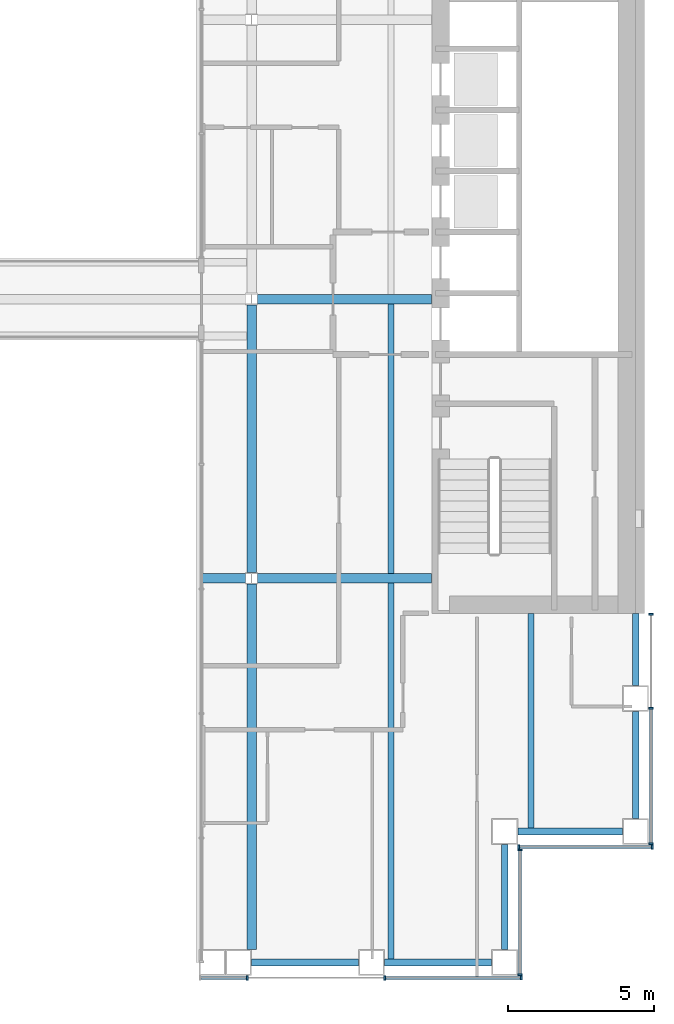
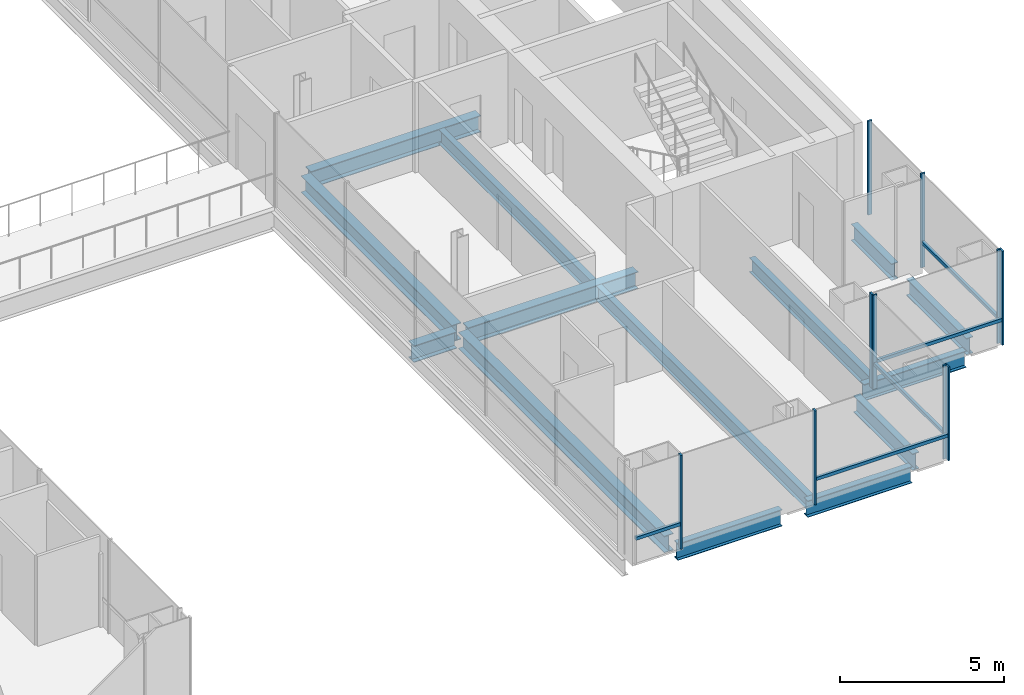
# One storey, part 5 of 16: 15 members, 14 beams, 4 elements without a shape of their own.
"""IFC4 building model written with IfcOpenShell, lengths in metres."""

from ifc_helpers import new_model, si_unit, direction, frame, origin, origin_2d, place, context, subcontext, project, spatial, rectangle, i_section, extrude, material, material_profile, profile_set, type_object, element, aggregate, save


model = new_model("IFC4")

# Units and contexts
model_context = context("Model", 3, precision=1e-05, world=origin(), true_north=direction((0.0, 1.0)))
body_context = subcontext(model_context, "Body", "Model", "MODEL_VIEW")
ifc_project = project(units=[si_unit("LENGTHUNIT", "METRE"), si_unit("AREAUNIT", "SQUARE_METRE"), si_unit("VOLUMEUNIT", "CUBIC_METRE"), si_unit("PLANEANGLEUNIT", "RADIAN"), si_unit("MASSUNIT", "GRAM", prefix="KILO")], contexts=[model_context])

# Site, building, storey
site_placement = place(None, origin())
site = spatial("IfcSite", under=ifc_project, at=site_placement, CompositionType="ELEMENT")
building_placement = place(site_placement, origin())
building = spatial("IfcBuilding", under=site, at=building_placement, Name="Cobrizo Arcos Hotel Tower", CompositionType="ELEMENT")
storey_placement = place(building_placement, frame((0.0, 0.0, 127.5)))
storey = spatial("IfcBuildingStorey", under=building, at=storey_placement, Name="L32", CompositionType="ELEMENT", Elevation=127.5)

# Curtain wall, members
ifc_material_1 = material(Name="Aluminium 6063-T6 anodised bronze", Category="aluminium")
curtain_wall_type = type_object("IfcCurtainWallType", Name="CW-A guest facade", PredefinedType="NOTDEFINED", material=ifc_material_1)
curtain_wall_1_placement = place(storey_placement, origin())
curtain_wall_1 = element("IfcCurtainWall", 1, at=curtain_wall_1_placement, inside=storey, type_object=curtain_wall_type, Name="CW-A L32 S face", PredefinedType="NOTDEFINED")
ifc_material_profile_1 = material_profile(ifc_material_1, rectangle(XDim=0.14990234375, YDim=0.06005859375, at=origin_2d()), Name="CW-A mullion 150x60")
ifc_profile_set_1 = profile_set([ifc_material_profile_1], Name="Aluminium 6063-T6 anodised bronze")
member_type_1 = type_object("IfcMemberType", Name="CW-A mullion 150x60", PredefinedType="MULLION", material=ifc_profile_set_1)
member_1_placement = place(storey_placement, frame((9.449951171875, -23.324951171875, 0.0), z_axis=(0.0, 0.0, 1.0), x_axis=(0.0, -1.0, 0.0)))
member_1 = element("IfcMember", 2, at=member_1_placement, type_object=member_type_1, Name="CW-A mullion 2", PredefinedType="MULLION", context=body_context, shape_type="SweptSolid", body=[
    extrude(rectangle(XDim=0.14990234375, YDim=0.06005859375, at=origin_2d()), origin(), (0.0, 0.0, 1.0), 3.5),
])
member_2_placement = place(storey_placement, frame((14.175048828125, -23.324951171875, 0.0), z_axis=(0.0, 0.0, 1.0), x_axis=(0.0, -1.0, 0.0)))
member_2 = element("IfcMember", 3, at=member_2_placement, type_object=member_type_1, Name="CW-A mullion 3", PredefinedType="MULLION", context=body_context, shape_type="SweptSolid", body=[
    extrude(rectangle(XDim=0.14990234375, YDim=0.06005859375, at=origin_2d()), origin(), (0.0, 0.0, 1.0), 3.5),
])
member_3_placement = place(storey_placement, frame((18.8701171875, -23.324951171875, 0.0), z_axis=(0.0, 0.0, 1.0), x_axis=(0.0, -1.0, 0.0)))
member_3 = element("IfcMember", 4, at=member_3_placement, type_object=member_type_1, Name="CW-A mullion 4", PredefinedType="MULLION", context=body_context, shape_type="SweptSolid", body=[
    extrude(rectangle(XDim=0.14990234375, YDim=0.06005859375, at=origin_2d()), origin(), (0.0, 0.0, 1.0), 3.5),
])

curtain_wall_2_placement = place(storey_placement, origin())
curtain_wall_2 = element("IfcCurtainWall", 5, at=curtain_wall_2_placement, inside=storey, type_object=curtain_wall_type, Name="CW-A L32 E face", PredefinedType="NOTDEFINED")
member_4_placement = place(storey_placement, frame((18.824951171875, -23.219970703125, 0.0), z_axis=(0.0, 0.0, 1.0), x_axis=(1.0, 0.0, 0.0)))
member_4 = element("IfcMember", 6, at=member_4_placement, type_object=member_type_1, Name="CW-A mullion 1", PredefinedType="MULLION", context=body_context, shape_type="SweptSolid", body=[
    extrude(rectangle(XDim=0.14990234375, YDim=0.06005859375, at=origin_2d()), origin(), (0.0, 0.0, 1.0), 3.5),
])
member_5_placement = place(storey_placement, frame((18.824951171875, -18.929931640625, 0.0), z_axis=(0.0, 0.0, 1.0), x_axis=(1.0, 0.0, 0.0)))
member_5 = element("IfcMember", 7, at=member_5_placement, type_object=member_type_1, Name="CW-A mullion 2", PredefinedType="MULLION", context=body_context, shape_type="SweptSolid", body=[
    extrude(rectangle(XDim=0.14990234375, YDim=0.06005859375, at=origin_2d()), origin(), (0.0, 0.0, 1.0), 3.5),
])

curtain_wall_3_placement = place(storey_placement, origin())
curtain_wall_3 = element("IfcCurtainWall", 8, at=curtain_wall_3_placement, inside=storey, type_object=curtain_wall_type, Name="CW-A L32 S face", PredefinedType="NOTDEFINED")
member_6_placement = place(storey_placement, frame((18.780029296875, -18.824951171875, 0.0), z_axis=(0.0, 0.0, 1.0), x_axis=(0.0, -1.0, 0.0)))
member_6 = element("IfcMember", 9, at=member_6_placement, type_object=member_type_1, Name="CW-A mullion 1", PredefinedType="MULLION", context=body_context, shape_type="SweptSolid", body=[
    extrude(rectangle(XDim=0.14990234375, YDim=0.06005859375, at=origin_2d()), origin(), (0.0, 0.0, 1.0), 3.5),
])
member_7_placement = place(storey_placement, frame((23.3701171875, -18.824951171875, 0.0), z_axis=(0.0, 0.0, 1.0), x_axis=(0.0, -1.0, 0.0)))
member_7 = element("IfcMember", 10, at=member_7_placement, type_object=member_type_1, Name="CW-A mullion 2", PredefinedType="MULLION", context=body_context, shape_type="SweptSolid", body=[
    extrude(rectangle(XDim=0.14990234375, YDim=0.06005859375, at=origin_2d()), origin(), (0.0, 0.0, 1.0), 3.5),
])

curtain_wall_4_placement = place(storey_placement, origin())
curtain_wall_4 = element("IfcCurtainWall", 11, at=curtain_wall_4_placement, inside=storey, type_object=curtain_wall_type, Name="CW-A L32 E face", PredefinedType="NOTDEFINED")
member_8_placement = place(storey_placement, frame((23.324951171875, -18.719970703125, 0.0), z_axis=(0.0, 0.0, 1.0), x_axis=(1.0, 0.0, 0.0)))
member_8 = element("IfcMember", 12, at=member_8_placement, type_object=member_type_1, Name="CW-A mullion 1", PredefinedType="MULLION", context=body_context, shape_type="SweptSolid", body=[
    extrude(rectangle(XDim=0.14990234375, YDim=0.06005859375, at=origin_2d()), origin(), (0.0, 0.0, 1.0), 3.5),
])
member_9_placement = place(storey_placement, frame((23.324951171875, -14.0625, 0.0), z_axis=(0.0, 0.0, 1.0), x_axis=(1.0, 0.0, 0.0)))
member_9 = element("IfcMember", 13, at=member_9_placement, type_object=member_type_1, Name="CW-A mullion 2", PredefinedType="MULLION", context=body_context, shape_type="SweptSolid", body=[
    extrude(rectangle(XDim=0.14990234375, YDim=0.06005859375, at=origin_2d()), origin(), (0.0, 0.0, 1.0), 3.5),
])
member_10_placement = place(storey_placement, frame((23.324951171875, -10.830078125, 0.0), z_axis=(0.0, 0.0, 1.0), x_axis=(1.0, 0.0, 0.0)))
member_10 = element("IfcMember", 14, at=member_10_placement, type_object=member_type_1, Name="CW-A mullion 3", PredefinedType="MULLION", context=body_context, shape_type="SweptSolid", body=[
    extrude(rectangle(XDim=0.14990234375, YDim=0.06005859375, at=origin_2d()), origin(), (0.0, 0.0, 1.0), 3.5),
])

# Member
ifc_material_profile_2 = material_profile(ifc_material_1, rectangle(XDim=0.10009765625, YDim=0.1201171875, at=origin_2d()), Name="CW-A transom 120x100")
ifc_profile_set_2 = profile_set([ifc_material_profile_2], Name="Aluminium 6063-T6 anodised bronze")
member_type_2 = type_object("IfcMemberType", Name="CW-A transom 120x100", PredefinedType="USERDEFINED", material=ifc_profile_set_2)
member_11_placement = place(storey_placement, frame((7.860107421875, -23.324951171875, 0.929931640625), z_axis=(1.0, 0.0, 0.0), x_axis=(0.0, 1.0, 0.0)))
member_11 = element("IfcMember", 15, at=member_11_placement, type_object=member_type_2, Name="CW-A transom 1194", ObjectType="TRANSOM", PredefinedType="USERDEFINED", context=body_context, shape_type="SweptSolid", body=[
    extrude(rectangle(XDim=0.10009765625, YDim=0.1201171875, at=origin_2d()), origin(), (0.0, 0.0, 1.0), 1.559814453125),
])

member_12_placement = place(storey_placement, frame((14.205078125, -23.324951171875, 0.929931640625), z_axis=(1.0, 0.0, 0.0), x_axis=(0.0, 1.0, 0.0)))
member_12 = element("IfcMember", 16, at=member_12_placement, type_object=member_type_2, Name="CW-A transom 1196", ObjectType="TRANSOM", PredefinedType="USERDEFINED", context=body_context, shape_type="SweptSolid", body=[
    extrude(rectangle(XDim=0.10009765625, YDim=0.1201171875, at=origin_2d()), origin(), (0.0, 0.0, 1.0), 4.635009765625),
])

aggregate(curtain_wall_1, [member_1, member_2, member_3, member_11, member_12])

member_13_placement = place(storey_placement, frame((18.824951171875, -23.18994140625, 0.929931640625), z_axis=(0.0, 1.0, 0.0), x_axis=(-1.0, 0.0, 0.0)))
member_13 = element("IfcMember", 17, at=member_13_placement, type_object=member_type_2, Name="CW-A transom 1197", ObjectType="TRANSOM", PredefinedType="USERDEFINED", context=body_context, shape_type="SweptSolid", body=[
    extrude(rectangle(XDim=0.10009765625, YDim=0.1201171875, at=origin_2d()), origin(), (0.0, 0.0, 1.0), 4.22998046875),
])

aggregate(curtain_wall_2, [member_4, member_5, member_13])

member_14_placement = place(storey_placement, frame((18.81005859375, -18.824951171875, 0.929931640625), z_axis=(1.0, 0.0, 0.0), x_axis=(0.0, 1.0, 0.0)))
member_14 = element("IfcMember", 18, at=member_14_placement, type_object=member_type_2, Name="CW-A transom 1198", ObjectType="TRANSOM", PredefinedType="USERDEFINED", context=body_context, shape_type="SweptSolid", body=[
    extrude(rectangle(XDim=0.10009765625, YDim=0.1201171875, at=origin_2d()), origin(), (0.0, 0.0, 1.0), 4.530029296875),
])

aggregate(curtain_wall_3, [member_6, member_7, member_14])

member_15_placement = place(storey_placement, frame((23.324951171875, -18.68994140625, 0.929931640625), z_axis=(0.0, 1.0, 0.0), x_axis=(-1.0, 0.0, 0.0)))
member_15 = element("IfcMember", 19, at=member_15_placement, type_object=member_type_2, Name="CW-A transom 1199", ObjectType="TRANSOM", PredefinedType="USERDEFINED", context=body_context, shape_type="SweptSolid", body=[
    extrude(rectangle(XDim=0.10009765625, YDim=0.1201171875, at=origin_2d()), origin(), (0.0, 0.0, 1.0), 4.597412109375),
])

aggregate(curtain_wall_4, [member_8, member_9, member_10, member_15])

# Beams
ifc_material_2 = material(Name="Steel ASTM A992 Grade 50", Category="steel")
ifc_material_profile_3 = material_profile(ifc_material_2, i_section(OverallWidth=0.209228515625, OverallDepth=0.533447265625, WebThickness=0.01025390625, FlangeThickness=0.015625, at=origin_2d()), Name="W21X62")
ifc_profile_set_3 = profile_set([ifc_material_profile_3], Name="Steel ASTM A992 Grade 50")
beam_type_1 = type_object("IfcBeamType", Name="W21X62 joist", PredefinedType="JOIST", material=ifc_profile_set_3)
beam_1_placement = place(storey_placement, frame((14.39990234375, -22.7099609375, -0.416748046875), z_axis=(0.0, 1.0, 0.0), x_axis=(-1.0, 0.0, 0.0)))
element("IfcBeam", 20, at=beam_1_placement, inside=storey, type_object=beam_type_1, Name="Floor joist J1, L32, no. 007", PredefinedType="JOIST", context=body_context, shape_type="SweptSolid", body=[
    extrude(i_section(OverallWidth=0.209228515625, OverallDepth=0.533447265625, WebThickness=0.01025390625, FlangeThickness=0.015625, at=origin_2d()), origin(), (0.0, 0.0, 1.0), 12.946044921875),
])
beam_2_placement = place(storey_placement, frame((14.39990234375, -9.43603515625, -0.416748046875), z_axis=(0.0, 1.0, 0.0), x_axis=(-1.0, 0.0, 0.0)))
element("IfcBeam", 21, at=beam_2_placement, inside=storey, type_object=beam_type_1, Name="Floor joist J1, L32, no. 008", PredefinedType="JOIST", context=body_context, shape_type="SweptSolid", body=[
    extrude(i_section(OverallWidth=0.209228515625, OverallDepth=0.533447265625, WebThickness=0.01025390625, FlangeThickness=0.015625, at=origin_2d()), origin(), (0.0, 0.0, 1.0), 9.272216796875),
])
beam_3_placement = place(storey_placement, frame((19.199951171875, -18.2099609375, -0.416748046875), z_axis=(0.0, 1.0, 0.0), x_axis=(-1.0, 0.0, 0.0)))
element("IfcBeam", 22, at=beam_3_placement, inside=storey, type_object=beam_type_1, Name="Floor joist J1, L32, no. 011", PredefinedType="JOIST", context=body_context, shape_type="SweptSolid", body=[
    extrude(i_section(OverallWidth=0.209228515625, OverallDepth=0.533447265625, WebThickness=0.01025390625, FlangeThickness=0.015625, at=origin_2d()), origin(), (0.0, 0.0, 1.0), 7.39990234375),
])
ifc_material_profile_4 = material_profile(ifc_material_2, i_section(OverallWidth=0.32763671875, OverallDepth=0.622314453125, WebThickness=0.015380859375, FlangeThickness=0.0244140625, at=origin_2d()), Name="W24X131")
ifc_profile_set_4 = profile_set([ifc_material_profile_4], Name="Steel ASTM A992 Grade 50")
beam_type_2 = type_object("IfcBeamType", Name="W24X131 girder", PredefinedType="BEAM", material=ifc_profile_set_4)
beam_4_placement = place(storey_placement, frame((7.889892578125, -9.60009765625, -0.461181640625), z_axis=(1.0, 0.0, 0.0), x_axis=(0.0, 1.0, 0.0)))
element("IfcBeam", 23, at=beam_4_placement, inside=storey, type_object=beam_type_2, Name="Floor girder G1, L32, no. 003", PredefinedType="BEAM", context=body_context, shape_type="SweptSolid", body=[
    extrude(i_section(OverallWidth=0.32763671875, OverallDepth=0.622314453125, WebThickness=0.015380859375, FlangeThickness=0.0244140625, at=origin_2d()), origin(), (0.0, 0.0, 1.0), 1.5107421875),
])
for number, where, z_axis, x_axis, name in (
    (24, (9.79931640625, -9.60009765625, -0.461181640625), (1.0, 0.0, 0.0), (0.0, 1.0, 0.0), "Floor girder G1, L32, no. 004"),
    (25, (9.79931640625, 0.0, -0.461181640625), (1.0, 0.0, 0.0), (0.0, 1.0, 0.0), "Floor girder G1, L32, no. 007"),
):
    element("IfcBeam", number, at=place(storey_placement, frame(where, z_axis=z_axis, x_axis=x_axis)), inside=storey, type_object=beam_type_2, Name=name, PredefinedType="BEAM", context=body_context, shape_type="SweptSolid", body=[
        extrude(i_section(OverallWidth=0.32763671875, OverallDepth=0.622314453125, WebThickness=0.015380859375, FlangeThickness=0.0244140625, at=origin_2d()), origin(), (0.0, 0.0, 1.0), 5.99072265625),
    ])
beam_5_placement = place(storey_placement, frame((9.60009765625, -22.35009765625, -0.461181640625), z_axis=(0.0, 1.0, 0.0), x_axis=(-1.0, 0.0, 0.0)))
element("IfcBeam", 26, at=beam_5_placement, inside=storey, type_object=beam_type_2, Name="Floor girder G1, L32, no. 016", PredefinedType="BEAM", context=body_context, shape_type="SweptSolid", body=[
    extrude(i_section(OverallWidth=0.32763671875, OverallDepth=0.622314453125, WebThickness=0.015380859375, FlangeThickness=0.0244140625, at=origin_2d()), origin(), (0.0, 0.0, 1.0), 12.55078125),
])
beam_6_placement = place(storey_placement, frame((9.60009765625, -9.400634765625, -0.461181640625), z_axis=(0.0, 1.0, 0.0), x_axis=(-1.0, 0.0, 0.0)))
element("IfcBeam", 27, at=beam_6_placement, inside=storey, type_object=beam_type_2, Name="Floor girder G1, L32, no. 017", PredefinedType="BEAM", context=body_context, shape_type="SweptSolid", body=[
    extrude(i_section(OverallWidth=0.32763671875, OverallDepth=0.622314453125, WebThickness=0.015380859375, FlangeThickness=0.0244140625, at=origin_2d()), origin(), (0.0, 0.0, 1.0), 9.201171875),
])
ifc_material_profile_5 = material_profile(ifc_material_2, i_section(OverallWidth=0.23046875, OverallDepth=0.6171875, WebThickness=0.01318359375, FlangeThickness=0.022216796875, at=origin_2d()), Name="W24X94")
ifc_profile_set_5 = profile_set([ifc_material_profile_5], Name="Steel ASTM A992 Grade 50")
beam_type_3 = type_object("IfcBeamType", Name="W24X94 spandrel", PredefinedType="SPANDREL", material=ifc_profile_set_5)
beam_7_placement = place(storey_placement, frame((22.800048828125, -10.81005859375, -0.45849609375), z_axis=(0.0, -1.0, 0.0), x_axis=(1.0, 0.0, 0.0)))
element("IfcBeam", 28, at=beam_7_placement, inside=storey, type_object=beam_type_3, Name="Spandrel beam W24X94, L32, no. 004", PredefinedType="SPANDREL", context=body_context, shape_type="SweptSolid", body=[
    extrude(i_section(OverallWidth=0.23046875, OverallDepth=0.6171875, WebThickness=0.01318359375, FlangeThickness=0.022216796875, at=origin_2d()), origin(), (0.0, 0.0, 1.0), 2.46484375),
])
beam_8_placement = place(storey_placement, frame((22.800048828125, -14.175048828125, -0.45849609375), z_axis=(0.0, -1.0, 0.0), x_axis=(1.0, 0.0, 0.0)))
element("IfcBeam", 29, at=beam_8_placement, inside=storey, type_object=beam_type_3, Name="Spandrel beam W24X94, L32, no. 005", PredefinedType="SPANDREL", context=body_context, shape_type="SweptSolid", body=[
    extrude(i_section(OverallWidth=0.23046875, OverallDepth=0.6171875, WebThickness=0.01318359375, FlangeThickness=0.022216796875, at=origin_2d()), origin(), (0.0, 0.0, 1.0), 3.675048828125),
])
for number, where, z_axis, x_axis, name in (
    (30, (22.35009765625, -18.300048828125, -0.45849609375), (-1.0, 0.0, 0.0), (0.0, -1.0, 0.0), "Spandrel beam W24X94, L32, no. 006"),
    (31, (18.300048828125, -18.75, -0.45849609375), (0.0, -1.0, 0.0), (1.0, 0.0, 0.0), "Spandrel beam W24X94, L32, no. 007"),
):
    element("IfcBeam", number, at=place(storey_placement, frame(where, z_axis=z_axis, x_axis=x_axis)), inside=storey, type_object=beam_type_3, Name=name, PredefinedType="SPANDREL", context=body_context, shape_type="SweptSolid", body=[
        extrude(i_section(OverallWidth=0.23046875, OverallDepth=0.6171875, WebThickness=0.01318359375, FlangeThickness=0.022216796875, at=origin_2d()), origin(), (0.0, 0.0, 1.0), 3.60009765625),
    ])
beam_9_placement = place(storey_placement, frame((17.85009765625, -22.800048828125, -0.45849609375), z_axis=(-1.0, 0.0, 0.0), x_axis=(0.0, -1.0, 0.0)))
element("IfcBeam", 32, at=beam_9_placement, inside=storey, type_object=beam_type_3, Name="Spandrel beam W24X94, L32, no. 008", PredefinedType="SPANDREL", context=body_context, shape_type="SweptSolid", body=[
    extrude(i_section(OverallWidth=0.23046875, OverallDepth=0.6171875, WebThickness=0.01318359375, FlangeThickness=0.022216796875, at=origin_2d()), origin(), (0.0, 0.0, 1.0), 3.675048828125),
])
beam_10_placement = place(storey_placement, frame((13.27490234375, -22.800048828125, -0.45849609375), z_axis=(-1.0, 0.0, 0.0), x_axis=(0.0, -1.0, 0.0)))
element("IfcBeam", 33, at=beam_10_placement, inside=storey, type_object=beam_type_3, Name="Spandrel beam W24X94, L32, no. 009", PredefinedType="SPANDREL", context=body_context, shape_type="SweptSolid", body=[
    extrude(i_section(OverallWidth=0.23046875, OverallDepth=0.6171875, WebThickness=0.01318359375, FlangeThickness=0.022216796875, at=origin_2d()), origin(), (0.0, 0.0, 1.0), 3.6748046875),
])

save(model, "model.ifc")
